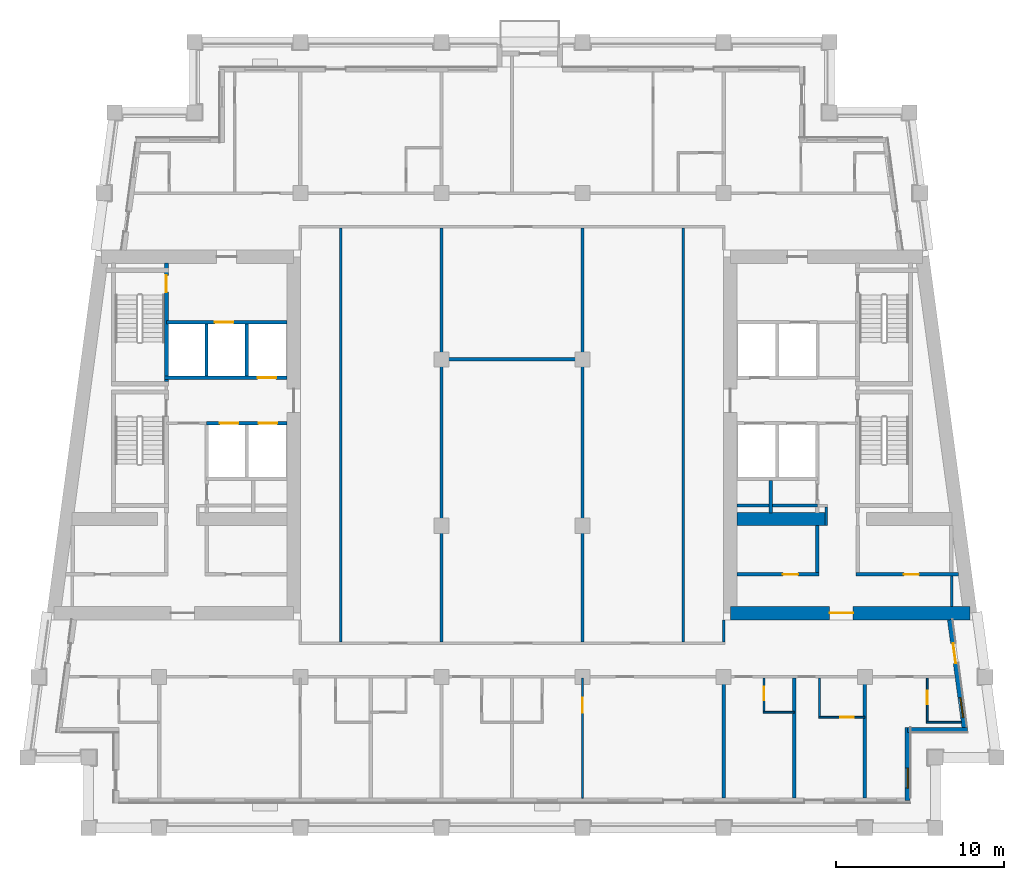
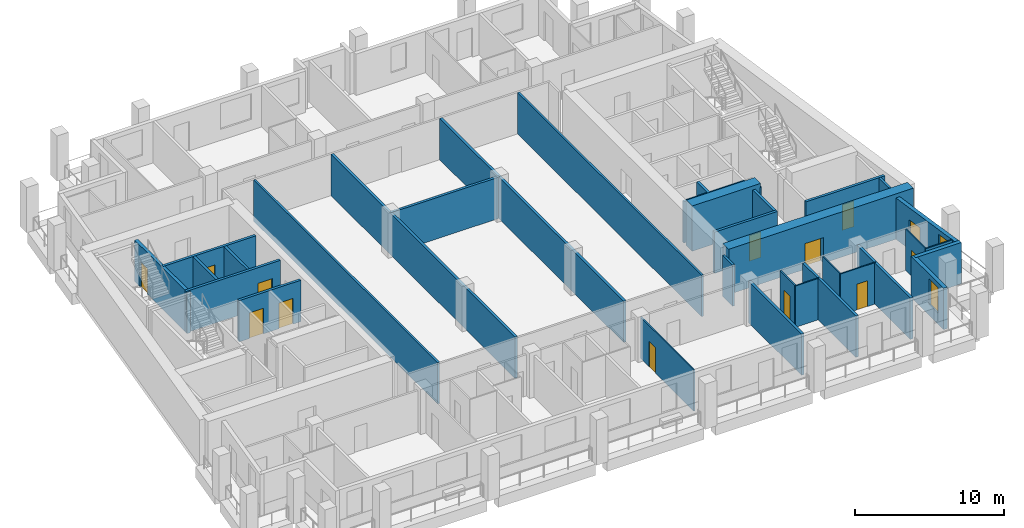
# One storey, part 4 of 12: 34 walls, 13 doors, 2 windows, 15 openings.
"""IFC4 building model written with IfcOpenShell, lengths in metres."""

from ifc_helpers import new_model, si_unit, direction, frame, frame_2d, origin, place, context, subcontext, project, spatial, rectangle, extrude, material, layer, layer_set, type_object, element, fill, save


model = new_model("IFC4")

# Units and contexts
model_context = context("Model", 3, precision=1e-05, world=origin(), true_north=direction((0.0, 1.0)))
body_context = subcontext(model_context, "Body", "Model", "MODEL_VIEW")
ifc_project = project(units=[si_unit("LENGTHUNIT", "METRE"), si_unit("AREAUNIT", "SQUARE_METRE"), si_unit("VOLUMEUNIT", "CUBIC_METRE"), si_unit("PLANEANGLEUNIT", "RADIAN"), si_unit("MASSUNIT", "GRAM", prefix="KILO")], contexts=[model_context])

# Site, building, storey
site_placement = place(None, origin())
site = spatial("IfcSite", under=ifc_project, at=site_placement, CompositionType="ELEMENT")
building_placement = place(site_placement, origin())
building = spatial("IfcBuilding", under=site, at=building_placement, Name="Candeia Pilgrim Tower and Theatre", CompositionType="ELEMENT")
storey_placement = place(building_placement, frame((0.0, 0.0, 235.5)))
storey = spatial("IfcBuildingStorey", under=building, at=storey_placement, Name="L57", CompositionType="ELEMENT", Elevation=235.5)

# Wall, opening, door
ifc_material_1 = material(Name="Concrete C50/60", Category="concrete")
ifc_layer_1 = layer(ifc_material_1, 0.800048828125)
ifc_layer_set_1 = layer_set([ifc_layer_1], Name="Core wall 800 C50/60")
wall_type_1 = type_object("IfcWallType", Name="Core wall 800 C50/60", PredefinedType="SHEAR", material=ifc_layer_set_1)
wall_1_placement = place(storey_placement, frame((140.67333984375, 110.800048828125, 0.0), z_axis=(0.0, 0.0, 1.0), x_axis=(-1.0, 0.0, 0.0)))
wall_1 = element("IfcWall", 1, at=wall_1_placement, inside=storey, type_object=wall_type_1, Name="Core wall E3", PredefinedType="SHEAR", context=body_context, shape_type="SweptSolid", body=[
    extrude(rectangle(XDim=14.2734375, YDim=0.800048828125, at=frame_2d((7.13671875, 0.0))), origin(), (0.0, 0.0, 1.0), 3.699951171875),
])
opening_1_placement = place(wall_1_placement, frame((6.96533203125, 0.0, 0.0)))
opening_1 = element("IfcOpeningElement", 2, at=opening_1_placement, cuts=wall_1, Name="Opening L57-D050", PredefinedType="OPENING", context=body_context, shape_type="SweptSolid", body=[
    extrude(rectangle(XDim=1.39990234375, YDim=2.10009765625, at=frame_2d((0.699951171875, 1.050048828125))), frame((0.0, 0.41015625, 0.0), z_axis=(0.0, -1.0, 0.0), x_axis=(1.0, 0.0, 0.0)), (0.0, 0.0, 1.0), 0.820068359375),
])
ifc_material_2 = material(Name="Steel fire door set", Category="steel")
door_type_1 = type_object("IfcDoorType", Name="D-1400-FD60", OperationType="NOTDEFINED", PredefinedType="DOOR", material=ifc_material_2)
door_1_placement = place(opening_1_placement, origin())
door_1 = element("IfcDoor", 3, at=door_1_placement, inside=storey, type_object=door_type_1, Name="Door L57-D050", OperationType="SINGLE_SWING_LEFT", OverallHeight=2.10009765625, OverallWidth=1.39990234375, PredefinedType="DOOR", context=body_context, shape_type="SweptSolid", body=[
    extrude(rectangle(XDim=1.39990234375, YDim=2.10009765625, at=frame_2d((0.699951171875, 1.050048828125))), frame((0.0, 0.02490234375, 0.0), z_axis=(0.0, -1.0, 0.0), x_axis=(1.0, 0.0, 0.0)), (0.0, 0.0, 1.0), 0.050048828125),
])
fill(opening_1, door_1)

# Wall
wall_2_placement = place(storey_placement, frame((126.800048828125, 116.39990234375, 0.0), z_axis=(0.0, 0.0, 1.0), x_axis=(1.0, 0.0, 0.0)))
element("IfcWall", 4, at=wall_2_placement, inside=storey, type_object=wall_type_1, Name="Core wall E5", PredefinedType="SHEAR", context=body_context, shape_type="SweptSolid", body=[
    extrude(rectangle(XDim=5.300048828125, YDim=0.800048828125, at=frame_2d((2.64990234375, 0.0))), origin(), (0.0, 0.0, 1.0), 3.699951171875),
])

# Wall, opening, window
ifc_material_3 = material(Name="Ceramic block masonry", Category="masonry")
ifc_layer_2 = layer(ifc_material_3, 0.300048828125)
ifc_layer_set_2 = layer_set([ifc_layer_2], Name="EW1 glazing-line wall 300")
wall_type_2 = type_object("IfcWallType", Name="EW1 glazing-line wall 300", PredefinedType="SOLIDWALL", material=ifc_layer_set_2)
wall_3_placement = place(storey_placement, frame((136.949951171875, 99.64990234375, 0.0), z_axis=(0.0, 0.0, 1.0), x_axis=(0.0, 1.0, 0.0)))
wall_3 = element("IfcWall", 5, at=wall_3_placement, inside=storey, type_object=wall_type_2, Name="External wall L57-1.0", PredefinedType="SOLIDWALL", context=body_context, shape_type="SweptSolid", body=[
    extrude(rectangle(XDim=4.35009765625, YDim=0.300048828125, at=frame_2d((2.175048828125, 0.0))), origin(), (0.0, 0.0, 1.0), 3.3798828125),
])
opening_2_placement = place(wall_3_placement, frame((0.72509765625, 0.0, 0.89990234375)))
opening_2 = element("IfcOpeningElement", 6, at=opening_2_placement, cuts=wall_3, Name="Opening W-B", PredefinedType="OPENING", context=body_context, shape_type="SweptSolid", body=[
    extrude(rectangle(XDim=1.199951171875, YDim=2.10009765625, at=frame_2d((0.60009765625, 1.050048828125))), frame((0.0, 0.16015625, 0.0), z_axis=(0.0, -1.0, 0.0), x_axis=(1.0, 0.0, 0.0)), (0.0, 0.0, 1.0), 0.320068359375),
])
ifc_material_4 = material(Name="Aluminium framed double glazing", Category="aluminium")
window_type = type_object("IfcWindowType", Name="W-B window 1200x2100", PartitioningType="SINGLE_PANEL", PredefinedType="WINDOW", material=ifc_material_4)
window_1_placement = place(opening_2_placement, origin())
window_1 = element("IfcWindow", 7, at=window_1_placement, inside=storey, type_object=window_type, Name="Window W-B L57", OverallHeight=2.10009765625, OverallWidth=1.199951171875, PartitioningType="SINGLE_PANEL", PredefinedType="WINDOW", context=body_context, shape_type="SweptSolid", body=[
    extrude(rectangle(XDim=1.199951171875, YDim=2.10009765625, at=frame_2d((0.60009765625, 1.050048828125))), frame((0.0, 0.030029296875, 0.0), z_axis=(0.0, -1.0, 0.0), x_axis=(1.0, 0.0, 0.0)), (0.0, 0.0, 1.0), 0.06005859375),
])
fill(opening_2, window_1)

# Wall
wall_4_placement = place(storey_placement, frame((136.949951171875, 103.85009765625, 0.0), z_axis=(0.0, 0.0, 1.0), x_axis=(1.0, 0.0, 0.0)))
element("IfcWall", 8, at=wall_4_placement, inside=storey, type_object=wall_type_2, Name="External wall L57-2.0", PredefinedType="SOLIDWALL", context=body_context, shape_type="SweptSolid", body=[
    extrude(rectangle(XDim=3.569091796875, YDim=0.300048828125, at=frame_2d((1.78466796875, 0.0))), origin(), (0.0, 0.0, 1.0), 3.3798828125),
])

# Wall, openings, door, window
wall_5_placement = place(storey_placement, frame((140.34765625, 103.85009765625, 0.0), z_axis=(0.0, 0.0, 1.0), x_axis=(-0.133431549479, 0.991058031401, 0.0)))
wall_5 = element("IfcWall", 9, at=wall_5_placement, inside=storey, type_object=wall_type_2, Name="External wall L57-3.0", PredefinedType="SOLIDWALL", context=body_context, shape_type="SweptSolid", body=[
    extrude(rectangle(XDim=6.60888671875, YDim=0.300048828125, at=frame_2d((3.304443359375, 0.0))), origin(), (0.0, 0.0, 1.0), 3.3798828125),
])
opening_3_placement = place(wall_5_placement, frame((0.736572265625, 0.0, 0.89990234375)))
opening_3 = element("IfcOpeningElement", 10, at=opening_3_placement, cuts=wall_5, Name="Opening W-B", PredefinedType="OPENING", context=body_context, shape_type="SweptSolid", body=[
    extrude(rectangle(XDim=1.199951171875, YDim=2.10009765625, at=frame_2d((0.60009765625, 1.050048828125))), frame((0.0, 0.16015625, 0.0), z_axis=(0.0, -1.0, 0.0), x_axis=(1.0, 0.0, 0.0)), (0.0, 0.0, 1.0), 0.320068359375),
])
opening_4_placement = place(wall_5_placement, frame((3.990966796875, 0.0, 0.0)))
opening_4 = element("IfcOpeningElement", 11, at=opening_4_placement, cuts=wall_5, Name="Opening L57-ED548", PredefinedType="OPENING", context=body_context, shape_type="SweptSolid", body=[
    extrude(rectangle(XDim=1.199951171875, YDim=2.39990234375, at=frame_2d((0.60009765625, 1.199951171875))), frame((0.0, 0.16015625, 0.0), z_axis=(0.0, -1.0, 0.0), x_axis=(1.0, 0.0, 0.0)), (0.0, 0.0, 1.0), 0.320068359375),
])
ifc_material_5 = material(Name="Aluminium framed glazed door", Category="aluminium")
door_type_2 = type_object("IfcDoorType", Name="Loggia door 1200x2400", OperationType="DOUBLE_DOOR_SINGLE_SWING", PredefinedType="DOOR", material=ifc_material_5)
door_2_placement = place(opening_4_placement, origin())
door_2 = element("IfcDoor", 12, at=door_2_placement, inside=storey, type_object=door_type_2, Name="Loggia door L57-ED548", OperationType="DOUBLE_DOOR_SINGLE_SWING", OverallHeight=2.39990234375, OverallWidth=1.199951171875, PredefinedType="DOOR", context=body_context, shape_type="SweptSolid", body=[
    extrude(rectangle(XDim=1.199951171875, YDim=2.39990234375, at=frame_2d((0.60009765625, 1.199951171875))), frame((0.0, 0.02490234375, 0.0), z_axis=(0.0, -1.0, 0.0), x_axis=(1.0, 0.0, 0.0)), (0.0, 0.0, 1.0), 0.050048828125),
])
fill(opening_4, door_2)
window_2_placement = place(opening_3_placement, origin())
window_2 = element("IfcWindow", 13, at=window_2_placement, inside=storey, type_object=window_type, Name="Window W-B L57", OverallHeight=2.10009765625, OverallWidth=1.199951171875, PartitioningType="SINGLE_PANEL", PredefinedType="WINDOW", context=body_context, shape_type="SweptSolid", body=[
    extrude(rectangle(XDim=1.199951171875, YDim=2.10009765625, at=frame_2d((0.60009765625, 1.050048828125))), frame((0.0, 0.030029296875, 0.0), z_axis=(0.0, -1.0, 0.0), x_axis=(1.0, 0.0, 0.0)), (0.0, 0.0, 1.0), 0.06005859375),
])
fill(opening_3, window_2)

# Wall
ifc_material_6 = material(Name="Gypsum board partition on steel studs", Category="steel")
ifc_layer_3 = layer(ifc_material_6, 0.10009765625)
ifc_layer_set_3 = layer_set([ifc_layer_3], Name="PW-100 room partition")
wall_type_3 = type_object("IfcWallType", Name="PW-100 room partition", PredefinedType="PARTITIONING", material=ifc_layer_set_3)
wall_6_placement = place(storey_placement, frame((138.070068359375, 104.300048828125, 0.0), z_axis=(0.0, 0.0, 1.0), x_axis=(1.0, 0.0, 0.0)))
element("IfcWall", 14, at=wall_6_placement, inside=storey, type_object=wall_type_3, Name="Room partition L57-004", PredefinedType="PARTITIONING", context=body_context, shape_type="SweptSolid", body=[
    extrude(rectangle(XDim=2.07568359375, YDim=0.10009765625, at=frame_2d((1.037841796875, 0.0))), origin(), (0.0, 0.0, 1.0), 3.3798828125),
])

# Wall, opening, door
wall_7_placement = place(storey_placement, frame((131.64990234375, 104.60009765625, 0.0), z_axis=(0.0, 0.0, 1.0), x_axis=(1.0, 0.0, 0.0)))
wall_7 = element("IfcWall", 15, at=wall_7_placement, inside=storey, type_object=wall_type_3, Name="Room partition L57-005", PredefinedType="PARTITIONING", context=body_context, shape_type="SweptSolid", body=[
    extrude(rectangle(XDim=2.75, YDim=0.10009765625, at=frame_2d((1.375, 0.0))), origin(), (0.0, 0.0, 1.0), 3.3798828125),
])
opening_5_placement = place(wall_7_placement, frame((1.300048828125, 0.0, 0.0)))
opening_5 = element("IfcOpeningElement", 16, at=opening_5_placement, cuts=wall_7, Name="Opening L57-D028", PredefinedType="OPENING", context=body_context, shape_type="SweptSolid", body=[
    extrude(rectangle(XDim=0.800048828125, YDim=2.10009765625, at=frame_2d((0.39990234375, 1.050048828125))), frame((0.0, 0.06005859375, 0.0), z_axis=(0.0, -1.0, 0.0), x_axis=(1.0, 0.0, 0.0)), (0.0, 0.0, 1.0), 0.1201171875),
])
ifc_material_7 = material(Name="Timber door leaf", Category="wood")
door_type_3 = type_object("IfcDoorType", Name="D-800", OperationType="NOTDEFINED", PredefinedType="DOOR", material=ifc_material_7)
door_3_placement = place(opening_5_placement, origin())
door_3 = element("IfcDoor", 17, at=door_3_placement, inside=storey, type_object=door_type_3, Name="Door L57-D028", OperationType="SINGLE_SWING_LEFT", OverallHeight=2.10009765625, OverallWidth=0.800048828125, PredefinedType="DOOR", context=body_context, shape_type="SweptSolid", body=[
    extrude(rectangle(XDim=0.800048828125, YDim=2.10009765625, at=frame_2d((0.39990234375, 1.050048828125))), frame((0.0, 0.02490234375, 0.0), z_axis=(0.0, -1.0, 0.0), x_axis=(1.0, 0.0, 0.0)), (0.0, 0.0, 1.0), 0.050048828125),
])
fill(opening_5, door_3)

# Wall
wall_8_placement = place(storey_placement, frame((128.35009765625, 104.89990234375, 0.0), z_axis=(0.0, 0.0, 1.0), x_axis=(1.0, 0.0, 0.0)))
element("IfcWall", 18, at=wall_8_placement, inside=storey, type_object=wall_type_3, Name="Room partition L57-007", PredefinedType="PARTITIONING", context=body_context, shape_type="SweptSolid", body=[
    extrude(rectangle(XDim=1.849853515625, YDim=0.10009765625, at=frame_2d((0.9248046875, 0.0))), origin(), (0.0, 0.0, 1.0), 3.3798828125),
])

# Wall, opening, door
wall_9_placement = place(storey_placement, frame((117.60009765625, 99.7900390625, 0.0), z_axis=(0.0, 0.0, 1.0), x_axis=(0.0, 1.0, 0.0)))
wall_9 = element("IfcWall", 19, at=wall_9_placement, inside=storey, type_object=wall_type_3, Name="Room partition L57-081", PredefinedType="PARTITIONING", context=body_context, shape_type="SweptSolid", body=[
    extrude(rectangle(XDim=7.135009765625, YDim=0.10009765625, at=frame_2d((3.5673828125, 0.0))), origin(), (0.0, 0.0, 1.0), 3.3798828125),
])
opening_6_placement = place(wall_9_placement, frame((5.074951171875, 0.0, 0.0)))
opening_6 = element("IfcOpeningElement", 20, at=opening_6_placement, cuts=wall_9, Name="Opening L57-D023", PredefinedType="OPENING", context=body_context, shape_type="SweptSolid", body=[
    extrude(rectangle(XDim=0.89990234375, YDim=2.10009765625, at=frame_2d((0.449951171875, 1.050048828125))), frame((0.0, 0.06005859375, 0.0), z_axis=(0.0, -1.0, 0.0), x_axis=(1.0, 0.0, 0.0)), (0.0, 0.0, 1.0), 0.1201171875),
])
door_type_4 = type_object("IfcDoorType", Name="D-900", OperationType="NOTDEFINED", PredefinedType="DOOR", material=ifc_material_7)
door_4_placement = place(opening_6_placement, origin())
door_4 = element("IfcDoor", 21, at=door_4_placement, inside=storey, type_object=door_type_4, Name="Door L57-D023", OperationType="SINGLE_SWING_RIGHT", OverallHeight=2.10009765625, OverallWidth=0.89990234375, PredefinedType="DOOR", context=body_context, shape_type="SweptSolid", body=[
    extrude(rectangle(XDim=0.89990234375, YDim=2.10009765625, at=frame_2d((0.449951171875, 1.050048828125))), frame((0.0, 0.02490234375, 0.0), z_axis=(0.0, -1.0, 0.0), x_axis=(1.0, 0.0, 0.0)), (0.0, 0.0, 1.0), 0.050048828125),
])
fill(opening_6, door_4)

wall_10_placement = place(storey_placement, frame((128.39990234375, 104.949951171875, 0.0), z_axis=(0.0, 0.0, 1.0), x_axis=(0.0, 1.0, 0.0)))
wall_10 = element("IfcWall", 22, at=wall_10_placement, inside=storey, type_object=wall_type_3, Name="Room partition L57-090", PredefinedType="PARTITIONING", context=body_context, shape_type="SweptSolid", body=[
    extrude(rectangle(XDim=1.97509765625, YDim=0.10009765625, at=frame_2d((0.987548828125, 0.0))), origin(), (0.0, 0.0, 1.0), 3.3798828125),
])
opening_7_placement = place(wall_10_placement, frame((0.659912109375, 0.0, 0.0)))
opening_7 = element("IfcOpeningElement", 23, at=opening_7_placement, cuts=wall_10, Name="Opening L57-D026", PredefinedType="OPENING", context=body_context, shape_type="SweptSolid", body=[
    extrude(rectangle(XDim=0.800048828125, YDim=2.10009765625, at=frame_2d((0.39990234375, 1.050048828125))), frame((0.0, 0.06005859375, 0.0), z_axis=(0.0, -1.0, 0.0), x_axis=(1.0, 0.0, 0.0)), (0.0, 0.0, 1.0), 0.1201171875),
])
door_5_placement = place(opening_7_placement, origin())
door_5 = element("IfcDoor", 24, at=door_5_placement, inside=storey, type_object=door_type_3, Name="Door L57-D026", OperationType="SINGLE_SWING_LEFT", OverallHeight=2.10009765625, OverallWidth=0.800048828125, PredefinedType="DOOR", context=body_context, shape_type="SweptSolid", body=[
    extrude(rectangle(XDim=0.800048828125, YDim=2.10009765625, at=frame_2d((0.39990234375, 1.050048828125))), frame((0.0, 0.02490234375, 0.0), z_axis=(0.0, -1.0, 0.0), x_axis=(1.0, 0.0, 0.0)), (0.0, 0.0, 1.0), 0.050048828125),
])
fill(opening_7, door_5)

# Wall
wall_11_placement = place(storey_placement, frame((131.699951171875, 104.64990234375, 0.0), z_axis=(0.0, 0.0, 1.0), x_axis=(0.0, 1.0, 0.0)))
element("IfcWall", 25, at=wall_11_placement, inside=storey, type_object=wall_type_3, Name="Room partition L57-099", PredefinedType="PARTITIONING", context=body_context, shape_type="SweptSolid", body=[
    extrude(rectangle(XDim=2.275146484375, YDim=0.10009765625, at=frame_2d((1.1376953125, 0.0))), origin(), (0.0, 0.0, 1.0), 3.3798828125),
])

# Wall, opening, door
wall_12_placement = place(storey_placement, frame((138.1201171875, 104.35009765625, 0.0), z_axis=(0.0, 0.0, 1.0), x_axis=(0.0, 1.0, 0.0)))
wall_12 = element("IfcWall", 26, at=wall_12_placement, inside=storey, type_object=wall_type_3, Name="Room partition L57-110", PredefinedType="PARTITIONING", context=body_context, shape_type="SweptSolid", body=[
    extrude(rectangle(XDim=2.574951171875, YDim=0.10009765625, at=frame_2d((1.28759765625, 0.0))), origin(), (0.0, 0.0, 1.0), 3.3798828125),
])
opening_8_placement = place(wall_12_placement, frame((1.02001953125, 0.0, 0.0)))
opening_8 = element("IfcOpeningElement", 27, at=opening_8_placement, cuts=wall_12, Name="Opening L57-D030", PredefinedType="OPENING", context=body_context, shape_type="SweptSolid", body=[
    extrude(rectangle(XDim=0.800048828125, YDim=2.10009765625, at=frame_2d((0.39990234375, 1.050048828125))), frame((0.0, 0.06005859375, 0.0), z_axis=(0.0, -1.0, 0.0), x_axis=(1.0, 0.0, 0.0)), (0.0, 0.0, 1.0), 0.1201171875),
])
door_6_placement = place(opening_8_placement, origin())
door_6 = element("IfcDoor", 28, at=door_6_placement, inside=storey, type_object=door_type_3, Name="Door L57-D030", OperationType="SINGLE_SWING_LEFT", OverallHeight=2.10009765625, OverallWidth=0.800048828125, PredefinedType="DOOR", context=body_context, shape_type="SweptSolid", body=[
    extrude(rectangle(XDim=0.800048828125, YDim=2.10009765625, at=frame_2d((0.39990234375, 1.050048828125))), frame((0.0, 0.02490234375, 0.0), z_axis=(0.0, -1.0, 0.0), x_axis=(1.0, 0.0, 0.0)), (0.0, 0.0, 1.0), 0.050048828125),
])
fill(opening_8, door_6)

# Walls
ifc_layer_4 = layer(ifc_material_6, 0.14990234375)
ifc_layer_set_4 = layer_set([ifc_layer_4], Name="PW-150 lobby wall")
wall_type_4 = type_object("IfcWallType", Name="PW-150 lobby wall", PredefinedType="PARTITIONING", material=ifc_layer_set_4)
wall_13_placement = place(storey_placement, frame((132.10009765625, 116.0, 0.0), z_axis=(0.0, 0.0, 1.0), x_axis=(0.0, 1.0, 0.0)))
element("IfcWall", 29, at=wall_13_placement, inside=storey, type_object=wall_type_4, Name="Lobby wall L57-100", PredefinedType="PARTITIONING", context=body_context, shape_type="SweptSolid", body=[
    extrude(rectangle(XDim=1.125, YDim=0.14990234375, at=frame_2d((0.5625, 0.0))), origin(), (0.0, 0.0, 1.0), 3.3798828125),
])
wall_14_placement = place(storey_placement, frame((139.572998046875, 111.199951171875, 0.0), z_axis=(0.0, 0.0, 1.0), x_axis=(0.0, 1.0, 0.0)))
element("IfcWall", 30, at=wall_14_placement, inside=storey, type_object=wall_type_4, Name="Lobby wall L57-112", PredefinedType="PARTITIONING", context=body_context, shape_type="SweptSolid", body=[
    extrude(rectangle(XDim=1.800048828125, YDim=0.14990234375, at=frame_2d((0.89990234375, 0.0))), origin(), (0.0, 0.0, 1.0), 3.3798828125),
])
ifc_layer_5 = layer(ifc_material_6, 0.14990234375)
ifc_layer_set_5 = layer_set([ifc_layer_5], Name="PW-150 unit wall")
wall_type_5 = type_object("IfcWallType", Name="PW-150 unit wall", PredefinedType="PARTITIONING", material=ifc_layer_set_5)
for number, where, z_axis, x_axis, name in (
    (31, (103.199951171875, 109.074951171875, 0.0), (0.0, 0.0, 1.0), (0.0, 1.0, 0.0), "Unit wall L57-070"),
    (32, (123.60009765625, 109.074951171875, 0.0), (0.0, 0.0, 1.0), (0.0, 1.0, 0.0), "Unit wall L57-085"),
):
    element("IfcWall", number, at=place(storey_placement, frame(where, z_axis=z_axis, x_axis=x_axis)), inside=storey, type_object=wall_type_5, Name=name, PredefinedType="PARTITIONING", context=body_context, shape_type="SweptSolid", body=[
        extrude(rectangle(XDim=24.650146484375, YDim=0.14990234375, at=frame_2d((12.3251953125, 0.0))), origin(), (0.0, 0.0, 1.0), 3.3798828125),
    ])
wall_15_placement = place(storey_placement, frame((126.0, 109.074951171875, 0.0), z_axis=(0.0, 0.0, 1.0), x_axis=(0.0, 1.0, 0.0)))
element("IfcWall", 33, at=wall_15_placement, inside=storey, type_object=wall_type_5, Name="Unit wall L57-088", PredefinedType="PARTITIONING", context=body_context, shape_type="SweptSolid", body=[
    extrude(rectangle(XDim=1.324951171875, YDim=0.14990234375, at=frame_2d((0.66259765625, 0.0))), origin(), (0.0, 0.0, 1.0), 3.3798828125),
])
ifc_layer_6 = layer(ifc_material_6, 0.199951171875)
ifc_layer_set_6 = layer_set([ifc_layer_6], Name="PW-200 party wall")
wall_type_6 = type_object("IfcWallType", Name="PW-200 party wall", PredefinedType="PARTITIONING", material=ifc_layer_set_6)
wall_16_placement = place(storey_placement, frame((109.199951171875, 125.89990234375, 0.0), z_axis=(0.0, 0.0, 1.0), x_axis=(1.0, 0.0, 0.0)))
element("IfcWall", 34, at=wall_16_placement, inside=storey, type_object=wall_type_6, Name="Party wall L57-033", PredefinedType="PARTITIONING", context=body_context, shape_type="SweptSolid", body=[
    extrude(rectangle(XDim=8.400146484375, YDim=0.199951171875, at=frame_2d((4.2001953125, 0.0))), origin(), (0.0, 0.0, 1.0), 3.3798828125),
])
for number, where, z_axis, x_axis, name in (
    (35, (109.199951171875, 109.074951171875, 0.0), (0.0, 0.0, 1.0), (0.0, 1.0, 0.0), "Party wall L57-075"),
    (36, (117.60009765625, 109.074951171875, 0.0), (0.0, 0.0, 1.0), (0.0, 1.0, 0.0), "Party wall L57-082"),
):
    element("IfcWall", number, at=place(storey_placement, frame(where, z_axis=z_axis, x_axis=x_axis)), inside=storey, type_object=wall_type_6, Name=name, PredefinedType="PARTITIONING", context=body_context, shape_type="SweptSolid", body=[
        extrude(rectangle(XDim=24.650146484375, YDim=0.199951171875, at=frame_2d((12.3251953125, 0.0))), origin(), (0.0, 0.0, 1.0), 3.3798828125),
    ])
for number, where, z_axis, x_axis, name in (
    (37, (126.0, 99.7900390625, 0.0), (0.0, 0.0, 1.0), (0.0, 1.0, 0.0), "Party wall L57-086"),
    (38, (130.199951171875, 99.7900390625, 0.0), (0.0, 0.0, 1.0), (0.0, 1.0, 0.0), "Party wall L57-094"),
    (39, (134.39990234375, 99.7900390625, 0.0), (0.0, 0.0, 1.0), (0.0, 1.0, 0.0), "Party wall L57-107"),
):
    element("IfcWall", number, at=place(storey_placement, frame(where, z_axis=z_axis, x_axis=x_axis)), inside=storey, type_object=wall_type_6, Name=name, PredefinedType="PARTITIONING", context=body_context, shape_type="SweptSolid", body=[
        extrude(rectangle(XDim=7.135009765625, YDim=0.199951171875, at=frame_2d((3.5673828125, 0.0))), origin(), (0.0, 0.0, 1.0), 3.3798828125),
    ])

# Wall, opening, door
ifc_material_8 = material(Name="Concrete C40/50", Category="concrete")
ifc_layer_7 = layer(ifc_material_8, 0.199951171875)
ifc_layer_set_7 = layer_set([ifc_layer_7], Name="SW-200 shaft wall")
wall_type_7 = type_object("IfcWallType", Name="SW-200 shaft wall", PredefinedType="PARTITIONING", material=ifc_layer_set_7)
wall_17_placement = place(storey_placement, frame((126.800048828125, 113.10009765625, 0.0), z_axis=(0.0, 0.0, 1.0), x_axis=(1.0, 0.0, 0.0)))
wall_17 = element("IfcWall", 40, at=wall_17_placement, inside=storey, type_object=wall_type_7, Name="Shaft wall L57-012", PredefinedType="PARTITIONING", context=body_context, shape_type="SweptSolid", body=[
    extrude(rectangle(XDim=4.873046875, YDim=0.199951171875, at=frame_2d((2.4365234375, 0.0))), origin(), (0.0, 0.0, 1.0), 3.3798828125),
])
opening_9_placement = place(wall_17_placement, frame((2.72998046875, 0.0, 0.0)))
opening_9 = element("IfcOpeningElement", 41, at=opening_9_placement, cuts=wall_17, Name="Opening L57-D012", PredefinedType="OPENING", context=body_context, shape_type="SweptSolid", body=[
    extrude(rectangle(XDim=0.89990234375, YDim=2.10009765625, at=frame_2d((0.449951171875, 1.050048828125))), frame((0.0, 0.10986328125, 0.0), z_axis=(0.0, -1.0, 0.0), x_axis=(1.0, 0.0, 0.0)), (0.0, 0.0, 1.0), 0.219970703125),
])
door_type_5 = type_object("IfcDoorType", Name="D-900-FD60", OperationType="NOTDEFINED", PredefinedType="DOOR", material=ifc_material_2)
door_7_placement = place(opening_9_placement, origin())
door_7 = element("IfcDoor", 42, at=door_7_placement, inside=storey, type_object=door_type_5, Name="Door L57-D012", OperationType="SINGLE_SWING_LEFT", OverallHeight=2.10009765625, OverallWidth=0.89990234375, PredefinedType="DOOR", context=body_context, shape_type="SweptSolid", body=[
    extrude(rectangle(XDim=0.89990234375, YDim=2.10009765625, at=frame_2d((0.449951171875, 1.050048828125))), frame((0.0, 0.02490234375, 0.0), z_axis=(0.0, -1.0, 0.0), x_axis=(1.0, 0.0, 0.0)), (0.0, 0.0, 1.0), 0.050048828125),
])
fill(opening_9, door_7)

wall_18_placement = place(storey_placement, frame((133.873046875, 113.10009765625, 0.0), z_axis=(0.0, 0.0, 1.0), x_axis=(1.0, 0.0, 0.0)))
wall_18 = element("IfcWall", 43, at=wall_18_placement, inside=storey, type_object=wall_type_7, Name="Shaft wall L57-013", PredefinedType="PARTITIONING", context=body_context, shape_type="SweptSolid", body=[
    extrude(rectangle(XDim=6.116943359375, YDim=0.199951171875, at=frame_2d((3.05859375, 0.0))), origin(), (0.0, 0.0, 1.0), 3.3798828125),
])
opening_10_placement = place(wall_18_placement, frame((2.85009765625, 0.0, 0.0)))
opening_10 = element("IfcOpeningElement", 44, at=opening_10_placement, cuts=wall_18, Name="Opening L57-D011", PredefinedType="OPENING", context=body_context, shape_type="SweptSolid", body=[
    extrude(rectangle(XDim=0.89990234375, YDim=2.10009765625, at=frame_2d((0.449951171875, 1.050048828125))), frame((0.0, 0.10986328125, 0.0), z_axis=(0.0, -1.0, 0.0), x_axis=(1.0, 0.0, 0.0)), (0.0, 0.0, 1.0), 0.219970703125),
])
door_8_placement = place(opening_10_placement, origin())
door_8 = element("IfcDoor", 45, at=door_8_placement, inside=storey, type_object=door_type_5, Name="Door L57-D011", OperationType="SINGLE_SWING_RIGHT", OverallHeight=2.10009765625, OverallWidth=0.89990234375, PredefinedType="DOOR", context=body_context, shape_type="SweptSolid", body=[
    extrude(rectangle(XDim=0.89990234375, YDim=2.10009765625, at=frame_2d((0.449951171875, 1.050048828125))), frame((0.0, 0.02490234375, 0.0), z_axis=(0.0, -1.0, 0.0), x_axis=(1.0, 0.0, 0.0)), (0.0, 0.0, 1.0), 0.050048828125),
])
fill(opening_10, door_8)

# Wall
wall_19_placement = place(storey_placement, frame((126.800048828125, 117.199951171875, 0.0), z_axis=(0.0, 0.0, 1.0), x_axis=(1.0, 0.0, 0.0)))
element("IfcWall", 46, at=wall_19_placement, inside=storey, type_object=wall_type_7, Name="Shaft wall L57-015", PredefinedType="PARTITIONING", context=body_context, shape_type="SweptSolid", body=[
    extrude(rectangle(XDim=4.77294921875, YDim=0.199951171875, at=frame_2d((2.386474609375, 0.0))), origin(), (0.0, 0.0, 1.0), 3.3798828125),
])

# Wall, openings, doors
wall_20_placement = place(storey_placement, frame((95.22705078125, 122.10009765625, 0.0), z_axis=(0.0, 0.0, 1.0), x_axis=(1.0, 0.0, 0.0)))
wall_20 = element("IfcWall", 47, at=wall_20_placement, inside=storey, type_object=wall_type_7, Name="Shaft wall L57-022", PredefinedType="PARTITIONING", context=body_context, shape_type="SweptSolid", body=[
    extrude(rectangle(XDim=4.77294921875, YDim=0.199951171875, at=frame_2d((2.386474609375, 0.0))), origin(), (0.0, 0.0, 1.0), 3.3798828125),
])
opening_11_placement = place(wall_20_placement, frame((0.7900390625, 0.0, 0.0)))
opening_11 = element("IfcOpeningElement", 48, at=opening_11_placement, cuts=wall_20, Name="Opening L57-LD01", PredefinedType="OPENING", context=body_context, shape_type="SweptSolid", body=[
    extrude(rectangle(XDim=1.10009765625, YDim=2.10009765625, at=frame_2d((0.550048828125, 1.050048828125))), frame((0.0, 0.10986328125, 0.0), z_axis=(0.0, -1.0, 0.0), x_axis=(1.0, 0.0, 0.0)), (0.0, 0.0, 1.0), 0.219970703125),
])
opening_12_placement = place(wall_20_placement, frame((3.087890625, 0.0, 0.0)))
opening_12 = element("IfcOpeningElement", 49, at=opening_12_placement, cuts=wall_20, Name="Opening L57-LD02", PredefinedType="OPENING", context=body_context, shape_type="SweptSolid", body=[
    extrude(rectangle(XDim=1.10009765625, YDim=2.10009765625, at=frame_2d((0.550048828125, 1.050048828125))), frame((0.0, 0.10986328125, 0.0), z_axis=(0.0, -1.0, 0.0), x_axis=(1.0, 0.0, 0.0)), (0.0, 0.0, 1.0), 0.219970703125),
])
ifc_material_9 = material(Name="Glazed aluminium landing door", Category="aluminium")
door_type_6 = type_object("IfcDoorType", Name="LD-1100-EI120", OperationType="SLIDING_TO_LEFT", PredefinedType="DOOR", material=ifc_material_9)
door_9_placement = place(opening_11_placement, origin())
door_9 = element("IfcDoor", 50, at=door_9_placement, inside=storey, type_object=door_type_6, Name="Landing door 01 L57", OperationType="SLIDING_TO_LEFT", OverallHeight=2.10009765625, OverallWidth=1.10009765625, PredefinedType="DOOR", context=body_context, shape_type="SweptSolid", body=[
    extrude(rectangle(XDim=1.10009765625, YDim=2.10009765625, at=frame_2d((0.550048828125, 1.050048828125))), frame((0.0, 0.02490234375, 0.0), z_axis=(0.0, -1.0, 0.0), x_axis=(1.0, 0.0, 0.0)), (0.0, 0.0, 1.0), 0.050048828125),
])
fill(opening_11, door_9)
door_10_placement = place(opening_12_placement, origin())
door_10 = element("IfcDoor", 51, at=door_10_placement, inside=storey, type_object=door_type_6, Name="Landing door 02 L57", OperationType="SLIDING_TO_LEFT", OverallHeight=2.10009765625, OverallWidth=1.10009765625, PredefinedType="DOOR", context=body_context, shape_type="SweptSolid", body=[
    extrude(rectangle(XDim=1.10009765625, YDim=2.10009765625, at=frame_2d((0.550048828125, 1.050048828125))), frame((0.0, 0.02490234375, 0.0), z_axis=(0.0, -1.0, 0.0), x_axis=(1.0, 0.0, 0.0)), (0.0, 0.0, 1.0), 0.050048828125),
])
fill(opening_12, door_10)

# Wall, opening, door
wall_21_placement = place(storey_placement, frame((92.701904296875, 124.800048828125, 0.0), z_axis=(0.0, 0.0, 1.0), x_axis=(1.0, 0.0, 0.0)))
wall_21 = element("IfcWall", 52, at=wall_21_placement, inside=storey, type_object=wall_type_7, Name="Shaft wall L57-030", PredefinedType="PARTITIONING", context=body_context, shape_type="SweptSolid", body=[
    extrude(rectangle(XDim=7.298095703125, YDim=0.199951171875, at=frame_2d((3.64892578125, 0.0))), origin(), (0.0, 0.0, 1.0), 3.3798828125),
])
opening_13_placement = place(wall_21_placement, frame((5.552001953125, 0.0, 0.0)))
opening_13 = element("IfcOpeningElement", 53, at=opening_13_placement, cuts=wall_21, Name="Opening L57-LD04", PredefinedType="OPENING", context=body_context, shape_type="SweptSolid", body=[
    extrude(rectangle(XDim=1.10009765625, YDim=2.10009765625, at=frame_2d((0.550048828125, 1.050048828125))), frame((0.0, 0.10986328125, 0.0), z_axis=(0.0, -1.0, 0.0), x_axis=(1.0, 0.0, 0.0)), (0.0, 0.0, 1.0), 0.219970703125),
])
door_11_placement = place(opening_13_placement, origin())
door_11 = element("IfcDoor", 54, at=door_11_placement, inside=storey, type_object=door_type_6, Name="Landing door 04 L57", OperationType="SLIDING_TO_LEFT", OverallHeight=2.10009765625, OverallWidth=1.10009765625, PredefinedType="DOOR", context=body_context, shape_type="SweptSolid", body=[
    extrude(rectangle(XDim=1.10009765625, YDim=2.10009765625, at=frame_2d((0.550048828125, 1.050048828125))), frame((0.0, 0.02490234375, 0.0), z_axis=(0.0, -1.0, 0.0), x_axis=(1.0, 0.0, 0.0)), (0.0, 0.0, 1.0), 0.050048828125),
])
fill(opening_13, door_11)

wall_22_placement = place(storey_placement, frame((92.826904296875, 128.10009765625, 0.0), z_axis=(0.0, 0.0, 1.0), x_axis=(1.0, 0.0, 0.0)))
wall_22 = element("IfcWall", 55, at=wall_22_placement, inside=storey, type_object=wall_type_7, Name="Shaft wall L57-034", PredefinedType="PARTITIONING", context=body_context, shape_type="SweptSolid", body=[
    extrude(rectangle(XDim=7.173095703125, YDim=0.199951171875, at=frame_2d((3.58642578125, 0.0))), origin(), (0.0, 0.0, 1.0), 3.3798828125),
])
opening_14_placement = place(wall_22_placement, frame((2.888916015625, 0.0, 0.0)))
opening_14 = element("IfcOpeningElement", 56, at=opening_14_placement, cuts=wall_22, Name="Opening L57-LD03", PredefinedType="OPENING", context=body_context, shape_type="SweptSolid", body=[
    extrude(rectangle(XDim=1.10009765625, YDim=2.10009765625, at=frame_2d((0.550048828125, 1.050048828125))), frame((0.0, 0.10986328125, 0.0), z_axis=(0.0, -1.0, 0.0), x_axis=(1.0, 0.0, 0.0)), (0.0, 0.0, 1.0), 0.219970703125),
])
door_12_placement = place(opening_14_placement, origin())
door_12 = element("IfcDoor", 57, at=door_12_placement, inside=storey, type_object=door_type_6, Name="Landing door 03 L57", OperationType="SLIDING_TO_LEFT", OverallHeight=2.10009765625, OverallWidth=1.10009765625, PredefinedType="DOOR", context=body_context, shape_type="SweptSolid", body=[
    extrude(rectangle(XDim=1.10009765625, YDim=2.10009765625, at=frame_2d((0.550048828125, 1.050048828125))), frame((0.0, 0.02490234375, 0.0), z_axis=(0.0, -1.0, 0.0), x_axis=(1.0, 0.0, 0.0)), (0.0, 0.0, 1.0), 0.050048828125),
])
fill(opening_14, door_12)

# Walls
for number, where, z_axis, x_axis, name in (
    (58, (95.218017578125, 124.89990234375, 0.0), (0.0, 0.0, 1.0), (0.0, 1.0, 0.0), "Shaft wall L57-058"),
    (59, (97.60888671875, 124.89990234375, 0.0), (0.0, 0.0, 1.0), (0.0, 1.0, 0.0), "Shaft wall L57-062"),
):
    element("IfcWall", number, at=place(storey_placement, frame(where, z_axis=z_axis, x_axis=x_axis)), inside=storey, type_object=wall_type_7, Name=name, PredefinedType="PARTITIONING", context=body_context, shape_type="SweptSolid", body=[
        extrude(rectangle(XDim=3.10009765625, YDim=0.199951171875, at=frame_2d((1.550048828125, 0.0))), origin(), (0.0, 0.0, 1.0), 3.3798828125),
    ])
wall_23_placement = place(storey_placement, frame((128.800048828125, 116.77001953125, 0.0), z_axis=(0.0, 0.0, 1.0), x_axis=(0.0, 1.0, 0.0)))
element("IfcWall", 60, at=wall_23_placement, inside=storey, type_object=wall_type_7, Name="Shaft wall L57-091", PredefinedType="PARTITIONING", context=body_context, shape_type="SweptSolid", body=[
    extrude(rectangle(XDim=1.929931640625, YDim=0.199951171875, at=frame_2d((0.96484375, 0.0))), origin(), (0.0, 0.0, 1.0), 3.3798828125),
])
wall_24_placement = place(storey_placement, frame((131.572998046875, 113.199951171875, 0.0), z_axis=(0.0, 0.0, 1.0), x_axis=(0.0, 1.0, 0.0)))
element("IfcWall", 61, at=wall_24_placement, inside=storey, type_object=wall_type_7, Name="Shaft wall L57-096", PredefinedType="PARTITIONING", context=body_context, shape_type="SweptSolid", body=[
    extrude(rectangle(XDim=2.800048828125, YDim=0.199951171875, at=frame_2d((1.39990234375, 0.0))), origin(), (0.0, 0.0, 1.0), 3.3798828125),
])

# Wall, opening, door
ifc_layer_8 = layer(ifc_material_8, 0.25)
ifc_layer_set_8 = layer_set([ifc_layer_8], Name="SW-250 stair wall")
wall_type_8 = type_object("IfcWallType", Name="SW-250 stair wall", PredefinedType="PARTITIONING", material=ifc_layer_set_8)
wall_25_placement = place(storey_placement, frame((92.826904296875, 124.574951171875, 0.0), z_axis=(0.0, 0.0, 1.0), x_axis=(0.0, 1.0, 0.0)))
wall_25 = element("IfcWall", 62, at=wall_25_placement, inside=storey, type_object=wall_type_8, Name="Stair wall L57-055", PredefinedType="PARTITIONING", context=body_context, shape_type="SweptSolid", body=[
    extrude(rectangle(XDim=7.054931640625, YDim=0.25, at=frame_2d((3.52734375, 0.0))), origin(), (0.0, 0.0, 1.0), 3.3798828125),
])
opening_15_placement = place(wall_25_placement, frame((5.324951171875, 0.0, 0.0)))
opening_15 = element("IfcOpeningElement", 63, at=opening_15_placement, cuts=wall_25, Name="Opening L57-D003", PredefinedType="OPENING", context=body_context, shape_type="SweptSolid", body=[
    extrude(rectangle(XDim=1.0, YDim=2.10009765625, at=frame_2d((0.5, 1.050048828125))), frame((0.0, 0.135009765625, 0.0), z_axis=(0.0, -1.0, 0.0), x_axis=(1.0, 0.0, 0.0)), (0.0, 0.0, 1.0), 0.27001953125),
])
door_type_7 = type_object("IfcDoorType", Name="D-1000-FD60", OperationType="NOTDEFINED", PredefinedType="DOOR", material=ifc_material_2)
door_13_placement = place(opening_15_placement, origin())
door_13 = element("IfcDoor", 64, at=door_13_placement, inside=storey, type_object=door_type_7, Name="Door L57-D003", OperationType="SINGLE_SWING_RIGHT", OverallHeight=2.10009765625, OverallWidth=1.0, PredefinedType="DOOR", context=body_context, shape_type="SweptSolid", body=[
    extrude(rectangle(XDim=1.0, YDim=2.10009765625, at=frame_2d((0.5, 1.050048828125))), frame((0.0, 0.02490234375, 0.0), z_axis=(0.0, -1.0, 0.0), x_axis=(1.0, 0.0, 0.0)), (0.0, 0.0, 1.0), 0.050048828125),
])
fill(opening_15, door_13)

save(model, "model.ifc")
